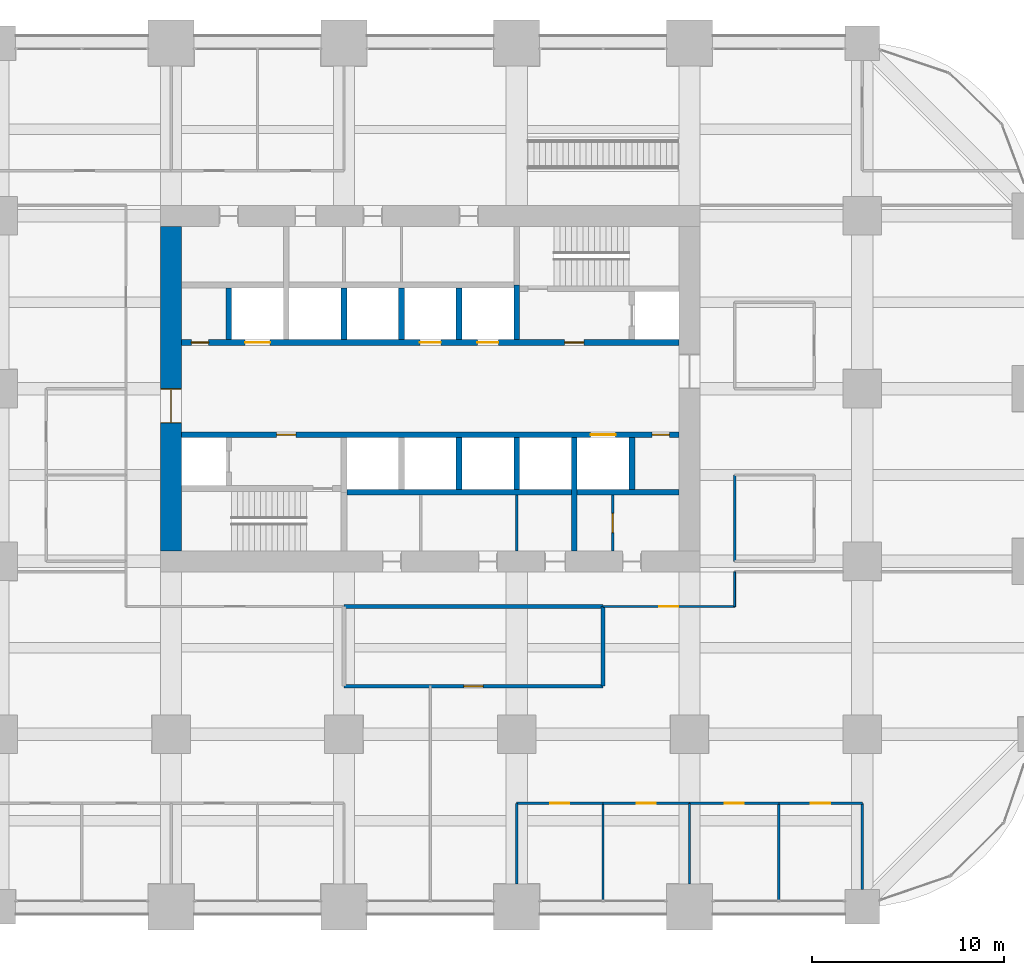
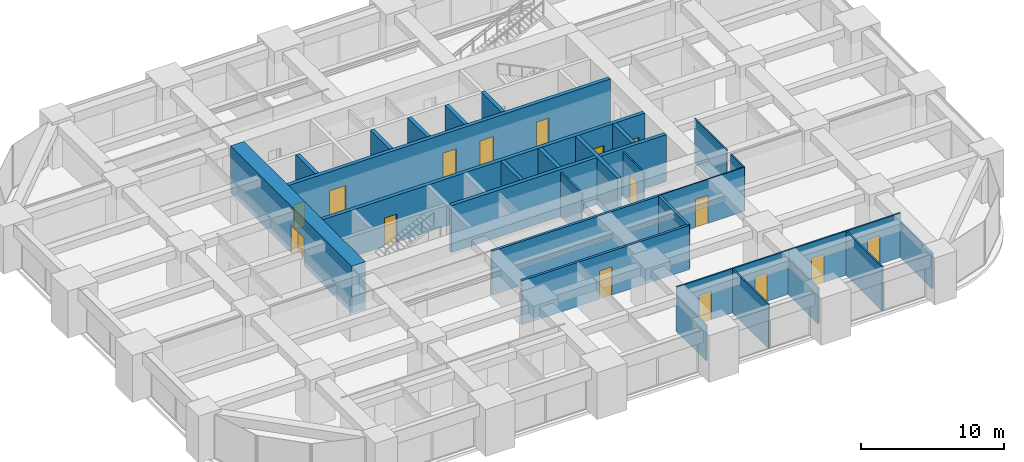
# One storey, part 37 of 41: 30 walls, 16 doors, 16 openings.
"""IFC4 building model written with IfcOpenShell, lengths in metres."""

from ifc_helpers import new_model, si_unit, direction, frame, frame_2d, origin, place, context, subcontext, project, spatial, rectangle, extrude, material, layer, layer_set, type_object, element, fill, save


model = new_model("IFC4")

# Units and contexts
model_context = context("Model", 3, precision=1e-05, world=origin(), true_north=direction((0.0, 1.0)))
body_context = subcontext(model_context, "Body", "Model", "MODEL_VIEW")
ifc_project = project(units=[si_unit("LENGTHUNIT", "METRE"), si_unit("AREAUNIT", "SQUARE_METRE"), si_unit("VOLUMEUNIT", "CUBIC_METRE"), si_unit("PLANEANGLEUNIT", "RADIAN"), si_unit("MASSUNIT", "GRAM", prefix="KILO")], contexts=[model_context])

# Site, building, storey
site_placement = place(None, origin())
site = spatial("IfcSite", under=ifc_project, at=site_placement, CompositionType="ELEMENT")
building_placement = place(site_placement, origin())
building = spatial("IfcBuilding", under=site, at=building_placement, Name="Zorevar Civic Tower", CompositionType="ELEMENT")
storey_placement = place(building_placement, frame((0.0, 0.0, 97.0)))
storey = spatial("IfcBuildingStorey", under=building, at=storey_placement, Name="L23", CompositionType="ELEMENT", Elevation=97.0)

# Wall, opening, door
ifc_material_1 = material(Name="Concrete blockwork", Category="masonry")
ifc_layer_1 = layer(ifc_material_1, 0.199951171875)
ifc_layer_set_1 = layer_set([ifc_layer_1], Name="Blockwork wall 200")
wall_type_1 = type_object("IfcWallType", Name="Blockwork wall 200", PredefinedType="SOLIDWALL", material=ifc_layer_set_1)
wall_1_placement = place(storey_placement, frame((27.0, 11.5, 0.0), z_axis=(0.0, 0.0, 1.0), x_axis=(1.0, 0.0, 0.0)))
wall_1 = element("IfcWall", 1, at=wall_1_placement, inside=storey, type_object=wall_type_1, Name="Blockwork wall 200 L23", PredefinedType="SOLIDWALL", context=body_context, shape_type="SweptSolid", body=[
    extrude(rectangle(XDim=13.5, YDim=0.199951171875, at=frame_2d((6.75, 0.0))), origin(), (0.0, 0.0, 1.0), 3.75),
])
opening_1_placement = place(wall_1_placement, frame((6.25, 0.0, 0.0)))
opening_1 = element("IfcOpeningElement", 2, at=opening_1_placement, cuts=wall_1, Name="Opening L23.25", PredefinedType="OPENING", context=body_context, shape_type="SweptSolid", body=[
    extrude(rectangle(XDim=1.0, YDim=2.39990234375, at=frame_2d((0.5, 1.199951171875))), frame((0.0, 0.10986328125, 0.0), z_axis=(0.0, -1.0, 0.0), x_axis=(1.0, 0.0, 0.0)), (0.0, 0.0, 1.0), 0.219970703125),
])
ifc_material_2 = material(Name="Steel door set", Category="steel")
door_type_1 = type_object("IfcDoorType", Name="Security door SD1 1000x2400", OperationType="SINGLE_SWING_LEFT", PredefinedType="DOOR", material=ifc_material_2)
door_1_placement = place(opening_1_placement, origin())
door_1 = element("IfcDoor", 3, at=door_1_placement, inside=storey, type_object=door_type_1, Name="Door L23 D1", OperationType="SINGLE_SWING_LEFT", OverallHeight=2.39990234375, OverallWidth=1.0, PredefinedType="DOOR", context=body_context, shape_type="SweptSolid", body=[
    extrude(rectangle(XDim=1.0, YDim=2.39990234375, at=frame_2d((0.5, 1.199951171875))), frame((0.0, 0.03515625, 0.0), z_axis=(0.0, -1.0, 0.0), x_axis=(1.0, 0.0, 0.0)), (0.0, 0.0, 1.0), 0.070068359375),
])
fill(opening_1, door_1)

# Walls
wall_2_placement = place(storey_placement, frame((27.0, 15.64990234375, 0.0), z_axis=(0.0, 0.0, 1.0), x_axis=(1.0, 0.0, 0.0)))
element("IfcWall", 4, at=wall_2_placement, inside=storey, type_object=wall_type_1, Name="Blockwork wall 200 L23", PredefinedType="SOLIDWALL", context=body_context, shape_type="SweptSolid", body=[
    extrude(rectangle(XDim=13.5, YDim=0.199951171875, at=frame_2d((6.75, 0.0))), origin(), (0.0, 0.0, 1.0), 3.75),
])
wall_3_placement = place(storey_placement, frame((40.5, 11.5, 0.0), z_axis=(0.0, 0.0, 1.0), x_axis=(0.0, 1.0, 0.0)))
element("IfcWall", 5, at=wall_3_placement, inside=storey, type_object=wall_type_1, Name="Blockwork wall 200 L23", PredefinedType="SOLIDWALL", context=body_context, shape_type="SweptSolid", body=[
    extrude(rectangle(XDim=4.14990234375, YDim=0.199951171875, at=frame_2d((2.074951171875, 0.0))), origin(), (0.0, 0.0, 1.0), 3.75),
])

# Wall, opening, door
ifc_material_3 = material(Name="Concrete C50/60", Category="concrete")
ifc_layer_2 = layer(ifc_material_3, 1.10009765625)
ifc_layer_set_2 = layer_set([ifc_layer_2], Name="Core wall 1100")
wall_type_2 = type_object("IfcWallType", Name="Core wall 1100", PredefinedType="SHEAR", material=ifc_layer_set_2)
wall_4_placement = place(storey_placement, frame((18.0, 35.449951171875, 0.0), z_axis=(0.0, 0.0, 1.0), x_axis=(0.0, -1.0, 0.0)))
wall_4 = element("IfcWall", 6, at=wall_4_placement, inside=storey, type_object=wall_type_2, Name="Core wall W L23", PredefinedType="SHEAR", context=body_context, shape_type="SweptSolid", body=[
    extrude(rectangle(XDim=16.89990234375, YDim=1.10009765625, at=frame_2d((8.449951171875, 0.0))), origin(), (0.0, 0.0, 1.0), 4.0),
])
opening_2_placement = place(wall_4_placement, frame((8.449951171875, 0.0, 0.0)))
opening_2 = element("IfcOpeningElement", 7, at=opening_2_placement, cuts=wall_4, Name="Opening L23.01", PredefinedType="OPENING", context=body_context, shape_type="SweptSolid", body=[
    extrude(rectangle(XDim=1.800048828125, YDim=2.39990234375, at=frame_2d((0.89990234375, 1.199951171875))), frame((0.0, 0.56005859375, 0.0), z_axis=(0.0, -1.0, 0.0), x_axis=(1.0, 0.0, 0.0)), (0.0, 0.0, 1.0), 1.1201171875),
])
ifc_material_4 = material(Name="Steel door set", Category="steel")
door_type_2 = type_object("IfcDoorType", Name="Fire door FD2 1800x2400", OperationType="DOUBLE_DOOR_DOUBLE_SWING", PredefinedType="DOOR", material=ifc_material_4)
door_2_placement = place(opening_2_placement, origin())
door_2 = element("IfcDoor", 8, at=door_2_placement, inside=storey, type_object=door_type_2, Name="Door L23 00", OperationType="DOUBLE_DOOR_DOUBLE_SWING", OverallHeight=2.39990234375, OverallWidth=1.800048828125, PredefinedType="DOOR", context=body_context, shape_type="SweptSolid", body=[
    extrude(rectangle(XDim=1.800048828125, YDim=2.39990234375, at=frame_2d((0.89990234375, 1.199951171875))), frame((0.0, 0.030029296875, 0.0), z_axis=(0.0, -1.0, 0.0), x_axis=(1.0, 0.0, 0.0)), (0.0, 0.0, 1.0), 0.06005859375),
    extrude(rectangle(XDim=0.04, YDim=2.39990234375, at=frame_2d((0.02001953125, 1.199951171875))), frame((0.0, 0.5498046875, 0.0), z_axis=(0.0, -1.0, 0.0), x_axis=(1.0, 0.0, 0.0)), (0.0, 0.0, 1.0), 1.099609375),
    extrude(rectangle(XDim=0.04, YDim=2.39990234375, at=frame_2d((1.780029296875, 1.199951171875))), frame((0.0, 0.5498046875, 0.0), z_axis=(0.0, -1.0, 0.0), x_axis=(1.0, 0.0, 0.0)), (0.0, 0.0, 1.0), 1.099609375),
    extrude(rectangle(XDim=1.800048828125, YDim=0.04, at=frame_2d((0.89990234375, 2.3798828125))), frame((0.0, 0.5498046875, 0.0), z_axis=(0.0, -1.0, 0.0), x_axis=(1.0, 0.0, 0.0)), (0.0, 0.0, 1.0), 1.099609375),
])
fill(opening_2, door_2)

ifc_material_5 = material(Name="Laminated glass in black aluminium frame", Category="aluminium")
ifc_layer_3 = layer(ifc_material_5, 0.10009765625)
ifc_layer_set_3 = layer_set([ifc_layer_3], Name="Glazed partition 100")
wall_type_3 = type_object("IfcWallType", Name="Glazed partition 100", PredefinedType="PARTITIONING", material=ifc_layer_set_3)
wall_5_placement = place(storey_placement, frame((40.5, 15.64990234375, 0.0), z_axis=(0.0, 0.0, 1.0), x_axis=(1.0, 0.0, 0.0)))
wall_5 = element("IfcWall", 9, at=wall_5_placement, inside=storey, type_object=wall_type_3, Name="Glazed partition 100 L23", PredefinedType="PARTITIONING", context=body_context, shape_type="SweptSolid", body=[
    extrude(rectangle(XDim=6.85009765625, YDim=0.10009765625, at=frame_2d((3.425048828125, 0.0))), origin(), (0.0, 0.0, 1.0), 3.75),
])
opening_3_placement = place(wall_5_placement, frame((2.925048828125, 0.0, 0.0)))
opening_3 = element("IfcOpeningElement", 10, at=opening_3_placement, cuts=wall_5, Name="Opening L23.27", PredefinedType="OPENING", context=body_context, shape_type="SweptSolid", body=[
    extrude(rectangle(XDim=1.0, YDim=2.39990234375, at=frame_2d((0.5, 1.199951171875))), frame((0.0, 0.06005859375, 0.0), z_axis=(0.0, -1.0, 0.0), x_axis=(1.0, 0.0, 0.0)), (0.0, 0.0, 1.0), 0.1201171875),
])
ifc_material_6 = material(Name="Timber door set", Category="wood")
door_type_3 = type_object("IfcDoorType", Name="Glazed door GD1 1000x2400", OperationType="SINGLE_SWING_LEFT", PredefinedType="DOOR", material=ifc_material_6)
door_3_placement = place(opening_3_placement, origin())
door_3 = element("IfcDoor", 11, at=door_3_placement, inside=storey, type_object=door_type_3, Name="Door L23 D1", OperationType="SINGLE_SWING_LEFT", OverallHeight=2.39990234375, OverallWidth=1.0, PredefinedType="DOOR", context=body_context, shape_type="SweptSolid", body=[
    extrude(rectangle(XDim=1.0, YDim=2.39990234375, at=frame_2d((0.5, 1.199951171875))), frame((0.0, 0.02001953125, 0.0), z_axis=(0.0, -1.0, 0.0), x_axis=(1.0, 0.0, 0.0)), (0.0, 0.0, 1.0), 0.0400390625),
])
fill(opening_3, door_3)

# Wall
wall_6_placement = place(storey_placement, frame((47.35009765625, 15.64990234375, 0.0), z_axis=(0.0, 0.0, 1.0), x_axis=(0.0, 1.0, 0.0)))
element("IfcWall", 12, at=wall_6_placement, inside=storey, type_object=wall_type_3, Name="Glazed partition 100 L23", PredefinedType="PARTITIONING", context=body_context, shape_type="SweptSolid", body=[
    extrude(rectangle(XDim=1.800048828125, YDim=0.10009765625, at=frame_2d((0.89990234375, 0.0))), origin(), (0.0, 0.0, 1.0), 3.75),
])

# Wall, openings, doors
ifc_material_7 = material(Name="Concrete C40/50", Category="concrete")
ifc_layer_4 = layer(ifc_material_7, 0.300048828125)
ifc_layer_set_4 = layer_set([ifc_layer_4], Name="Inner core wall 300")
wall_type_4 = type_object("IfcWallType", Name="Inner core wall 300", PredefinedType="SHEAR", material=ifc_layer_set_4)
wall_7_placement = place(storey_placement, frame((18.550048828125, 24.60009765625, 0.0), z_axis=(0.0, 0.0, 1.0), x_axis=(1.0, 0.0, 0.0)))
wall_7 = element("IfcWall", 13, at=wall_7_placement, inside=storey, type_object=wall_type_4, Name="Inner core wall S03 L23", PredefinedType="SHEAR", context=body_context, shape_type="SweptSolid", body=[
    extrude(rectangle(XDim=25.89990234375, YDim=0.300048828125, at=frame_2d((12.949951171875, 0.0))), origin(), (0.0, 0.0, 1.0), 4.0),
])
opening_4_placement = place(wall_7_placement, frame((4.949951171875, 0.0, 0.0)))
opening_4 = element("IfcOpeningElement", 14, at=opening_4_placement, cuts=wall_7, Name="Opening L23.13", PredefinedType="OPENING", context=body_context, shape_type="SweptSolid", body=[
    extrude(rectangle(XDim=1.0, YDim=2.39990234375, at=frame_2d((0.5, 1.199951171875))), frame((0.0, 0.159912109375, 0.0), z_axis=(0.0, -1.0, 0.0), x_axis=(1.0, 0.0, 0.0)), (0.0, 0.0, 1.0), 0.320068359375),
])
opening_5_placement = place(wall_7_placement, frame((24.5, 0.0, 0.0)))
opening_5 = element("IfcOpeningElement", 15, at=opening_5_placement, cuts=wall_7, Name="Opening L23.15", PredefinedType="OPENING", context=body_context, shape_type="SweptSolid", body=[
    extrude(rectangle(XDim=0.89990234375, YDim=2.10009765625, at=frame_2d((0.449951171875, 1.050048828125))), frame((0.0, 0.159912109375, 0.0), z_axis=(0.0, -1.0, 0.0), x_axis=(1.0, 0.0, 0.0)), (0.0, 0.0, 1.0), 0.320068359375),
])
opening_6_placement = place(wall_7_placement, frame((21.300048828125, 0.0, 0.0)))
opening_6 = element("IfcOpeningElement", 16, at=opening_6_placement, cuts=wall_7, Name="Opening L23.SL1", PredefinedType="OPENING", context=body_context, shape_type="SweptSolid", body=[
    extrude(rectangle(XDim=1.300048828125, YDim=2.39990234375, at=frame_2d((0.64990234375, 1.199951171875))), frame((0.0, 0.159912109375, 0.0), z_axis=(0.0, -1.0, 0.0), x_axis=(1.0, 0.0, 0.0)), (0.0, 0.0, 1.0), 0.320068359375),
])
ifc_material_8 = material(Name="Steel door set", Category="steel")
door_type_4 = type_object("IfcDoorType", Name="Fire door FD1 1000x2400", OperationType="SINGLE_SWING_LEFT", PredefinedType="DOOR", material=ifc_material_8)
door_4_placement = place(opening_4_placement, origin())
door_4 = element("IfcDoor", 17, at=door_4_placement, inside=storey, type_object=door_type_4, Name="Door L23 12", OperationType="SINGLE_SWING_RIGHT", OverallHeight=2.39990234375, OverallWidth=1.0, PredefinedType="DOOR", context=body_context, shape_type="SweptSolid", body=[
    extrude(rectangle(XDim=1.0, YDim=2.39990234375, at=frame_2d((0.5, 1.199951171875))), frame((0.0, 0.030029296875, 0.0), z_axis=(0.0, -1.0, 0.0), x_axis=(1.0, 0.0, 0.0)), (0.0, 0.0, 1.0), 0.06005859375),
])
fill(opening_4, door_4)
ifc_material_9 = material(Name="Steel door set", Category="steel")
door_type_5 = type_object("IfcDoorType", Name="Landing door LD2 1300x2400", OperationType="DOUBLE_DOOR_SLIDING", PredefinedType="DOOR", material=ifc_material_9)
door_5_placement = place(opening_6_placement, origin())
door_5 = element("IfcDoor", 18, at=door_5_placement, inside=storey, type_object=door_type_5, Name="Landing door SL1 L23", OperationType="DOUBLE_DOOR_SLIDING", OverallHeight=2.39990234375, OverallWidth=1.300048828125, PredefinedType="DOOR", context=body_context, shape_type="SweptSolid", body=[
    extrude(rectangle(XDim=1.300048828125, YDim=2.39990234375, at=frame_2d((0.64990234375, 1.199951171875))), frame((0.0, 0.02001953125, 0.0), z_axis=(0.0, -1.0, 0.0), x_axis=(1.0, 0.0, 0.0)), (0.0, 0.0, 1.0), 0.0400390625),
])
fill(opening_6, door_5)
ifc_material_10 = material(Name="Steel door set", Category="steel")
door_type_6 = type_object("IfcDoorType", Name="Riser door RD1 900x2100", OperationType="SINGLE_SWING_LEFT", PredefinedType="DOOR", material=ifc_material_10)
door_6_placement = place(opening_5_placement, origin())
door_6 = element("IfcDoor", 19, at=door_6_placement, inside=storey, type_object=door_type_6, Name="Door L23 14", OperationType="SINGLE_SWING_RIGHT", OverallHeight=2.10009765625, OverallWidth=0.89990234375, PredefinedType="DOOR", context=body_context, shape_type="SweptSolid", body=[
    extrude(rectangle(XDim=0.89990234375, YDim=2.10009765625, at=frame_2d((0.449951171875, 1.050048828125))), frame((0.0, 0.030029296875, 0.0), z_axis=(0.0, -1.0, 0.0), x_axis=(1.0, 0.0, 0.0)), (0.0, 0.0, 1.0), 0.06005859375),
])
fill(opening_5, door_6)

wall_8_placement = place(storey_placement, frame((18.550048828125, 29.39990234375, 0.0), z_axis=(0.0, 0.0, 1.0), x_axis=(1.0, 0.0, 0.0)))
wall_8 = element("IfcWall", 20, at=wall_8_placement, inside=storey, type_object=wall_type_4, Name="Inner core wall N03 L23", PredefinedType="SHEAR", context=body_context, shape_type="SweptSolid", body=[
    extrude(rectangle(XDim=25.89990234375, YDim=0.300048828125, at=frame_2d((12.949951171875, 0.0))), origin(), (0.0, 0.0, 1.0), 4.0),
])
opening_7_placement = place(wall_8_placement, frame((19.949951171875, 0.0, 0.0)))
opening_7 = element("IfcOpeningElement", 21, at=opening_7_placement, cuts=wall_8, Name="Opening L23.14", PredefinedType="OPENING", context=body_context, shape_type="SweptSolid", body=[
    extrude(rectangle(XDim=1.0, YDim=2.39990234375, at=frame_2d((0.5, 1.199951171875))), frame((0.0, 0.159912109375, 0.0), z_axis=(0.0, -1.0, 0.0), x_axis=(1.0, 0.0, 0.0)), (0.0, 0.0, 1.0), 0.320068359375),
])
opening_8_placement = place(wall_8_placement, frame((0.5, 0.0, 0.0)))
opening_8 = element("IfcOpeningElement", 22, at=opening_8_placement, cuts=wall_8, Name="Opening L23.16", PredefinedType="OPENING", context=body_context, shape_type="SweptSolid", body=[
    extrude(rectangle(XDim=0.89990234375, YDim=2.10009765625, at=frame_2d((0.449951171875, 1.050048828125))), frame((0.0, 0.159912109375, 0.0), z_axis=(0.0, -1.0, 0.0), x_axis=(1.0, 0.0, 0.0)), (0.0, 0.0, 1.0), 0.320068359375),
])
opening_9_placement = place(wall_8_placement, frame((15.39990234375, 0.0, 0.0)))
opening_9 = element("IfcOpeningElement", 23, at=opening_9_placement, cuts=wall_8, Name="Opening L23.LM1", PredefinedType="OPENING", context=body_context, shape_type="SweptSolid", body=[
    extrude(rectangle(XDim=1.10009765625, YDim=2.39990234375, at=frame_2d((0.550048828125, 1.199951171875))), frame((0.0, 0.159912109375, 0.0), z_axis=(0.0, -1.0, 0.0), x_axis=(1.0, 0.0, 0.0)), (0.0, 0.0, 1.0), 0.320068359375),
])
opening_10_placement = place(wall_8_placement, frame((12.39990234375, 0.0, 0.0)))
opening_10 = element("IfcOpeningElement", 24, at=opening_10_placement, cuts=wall_8, Name="Opening L23.LM2", PredefinedType="OPENING", context=body_context, shape_type="SweptSolid", body=[
    extrude(rectangle(XDim=1.10009765625, YDim=2.39990234375, at=frame_2d((0.550048828125, 1.199951171875))), frame((0.0, 0.159912109375, 0.0), z_axis=(0.0, -1.0, 0.0), x_axis=(1.0, 0.0, 0.0)), (0.0, 0.0, 1.0), 0.320068359375),
])
opening_11_placement = place(wall_8_placement, frame((3.300048828125, 0.0, 0.0)))
opening_11 = element("IfcOpeningElement", 25, at=opening_11_placement, cuts=wall_8, Name="Opening L23.SL2", PredefinedType="OPENING", context=body_context, shape_type="SweptSolid", body=[
    extrude(rectangle(XDim=1.300048828125, YDim=2.39990234375, at=frame_2d((0.64990234375, 1.199951171875))), frame((0.0, 0.159912109375, 0.0), z_axis=(0.0, -1.0, 0.0), x_axis=(1.0, 0.0, 0.0)), (0.0, 0.0, 1.0), 0.320068359375),
])
door_7_placement = place(opening_7_placement, origin())
door_7 = element("IfcDoor", 26, at=door_7_placement, inside=storey, type_object=door_type_4, Name="Door L23 13", OperationType="SINGLE_SWING_RIGHT", OverallHeight=2.39990234375, OverallWidth=1.0, PredefinedType="DOOR", context=body_context, shape_type="SweptSolid", body=[
    extrude(rectangle(XDim=1.0, YDim=2.39990234375, at=frame_2d((0.5, 1.199951171875))), frame((0.0, 0.030029296875, 0.0), z_axis=(0.0, -1.0, 0.0), x_axis=(1.0, 0.0, 0.0)), (0.0, 0.0, 1.0), 0.06005859375),
])
fill(opening_7, door_7)
ifc_material_11 = material(Name="Steel door set", Category="steel")
door_type_7 = type_object("IfcDoorType", Name="Landing door LD1 1100x2400", OperationType="DOUBLE_DOOR_SLIDING", PredefinedType="DOOR", material=ifc_material_11)
door_8_placement = place(opening_9_placement, origin())
door_8 = element("IfcDoor", 27, at=door_8_placement, inside=storey, type_object=door_type_7, Name="Landing door LM1 L23", OperationType="DOUBLE_DOOR_SLIDING", OverallHeight=2.39990234375, OverallWidth=1.10009765625, PredefinedType="DOOR", context=body_context, shape_type="SweptSolid", body=[
    extrude(rectangle(XDim=1.10009765625, YDim=2.39990234375, at=frame_2d((0.550048828125, 1.199951171875))), frame((0.0, 0.02001953125, 0.0), z_axis=(0.0, -1.0, 0.0), x_axis=(1.0, 0.0, 0.0)), (0.0, 0.0, 1.0), 0.0400390625),
])
fill(opening_9, door_8)
door_9_placement = place(opening_10_placement, origin())
door_9 = element("IfcDoor", 28, at=door_9_placement, inside=storey, type_object=door_type_7, Name="Landing door LM2 L23", OperationType="DOUBLE_DOOR_SLIDING", OverallHeight=2.39990234375, OverallWidth=1.10009765625, PredefinedType="DOOR", context=body_context, shape_type="SweptSolid", body=[
    extrude(rectangle(XDim=1.10009765625, YDim=2.39990234375, at=frame_2d((0.550048828125, 1.199951171875))), frame((0.0, 0.02001953125, 0.0), z_axis=(0.0, -1.0, 0.0), x_axis=(1.0, 0.0, 0.0)), (0.0, 0.0, 1.0), 0.0400390625),
])
fill(opening_10, door_9)
door_10_placement = place(opening_11_placement, origin())
door_10 = element("IfcDoor", 29, at=door_10_placement, inside=storey, type_object=door_type_5, Name="Landing door SL2 L23", OperationType="DOUBLE_DOOR_SLIDING", OverallHeight=2.39990234375, OverallWidth=1.300048828125, PredefinedType="DOOR", context=body_context, shape_type="SweptSolid", body=[
    extrude(rectangle(XDim=1.300048828125, YDim=2.39990234375, at=frame_2d((0.64990234375, 1.199951171875))), frame((0.0, 0.02001953125, 0.0), z_axis=(0.0, -1.0, 0.0), x_axis=(1.0, 0.0, 0.0)), (0.0, 0.0, 1.0), 0.0400390625),
])
fill(opening_11, door_10)
door_11_placement = place(opening_8_placement, origin())
door_11 = element("IfcDoor", 30, at=door_11_placement, inside=storey, type_object=door_type_6, Name="Door L23 15", OperationType="SINGLE_SWING_RIGHT", OverallHeight=2.10009765625, OverallWidth=0.89990234375, PredefinedType="DOOR", context=body_context, shape_type="SweptSolid", body=[
    extrude(rectangle(XDim=0.89990234375, YDim=2.10009765625, at=frame_2d((0.449951171875, 1.050048828125))), frame((0.0, 0.030029296875, 0.0), z_axis=(0.0, -1.0, 0.0), x_axis=(1.0, 0.0, 0.0)), (0.0, 0.0, 1.0), 0.06005859375),
])
fill(opening_8, door_11)

# Walls
wall_9_placement = place(storey_placement, frame((27.14990234375, 21.60009765625, 0.0), z_axis=(0.0, 0.0, 1.0), x_axis=(1.0, 0.0, 0.0)))
element("IfcWall", 31, at=wall_9_placement, inside=storey, type_object=wall_type_4, Name="Inner core wall S04 L23", PredefinedType="SHEAR", context=body_context, shape_type="SweptSolid", body=[
    extrude(rectangle(XDim=17.300048828125, YDim=0.300048828125, at=frame_2d((8.64990234375, 0.0))), origin(), (0.0, 0.0, 1.0), 4.0),
])
for number, where, z_axis, x_axis, name in (
    (32, (33.0, 29.550048828125, 0.0), (0.0, 0.0, 1.0), (0.0, 1.0, 0.0), "Inner core wall N05 L23"),
    (33, (33.0, 21.75, 0.0), (0.0, 0.0, 1.0), (0.0, 1.0, 0.0), "Inner core wall S06 L23"),
    (34, (30.0, 29.550048828125, 0.0), (0.0, 0.0, 1.0), (0.0, 1.0, 0.0), "Inner core wall N06 L23"),
    (35, (36.0, 21.75, 0.0), (0.0, 0.0, 1.0), (0.0, 1.0, 0.0), "Inner core wall S07 L23"),
    (36, (27.0, 29.550048828125, 0.0), (0.0, 0.0, 1.0), (0.0, 1.0, 0.0), "Inner core wall N07 L23"),
):
    element("IfcWall", number, at=place(storey_placement, frame(where, z_axis=z_axis, x_axis=x_axis)), inside=storey, type_object=wall_type_4, Name=name, PredefinedType="SHEAR", context=body_context, shape_type="SweptSolid", body=[
        extrude(rectangle(XDim=2.699951171875, YDim=0.300048828125, at=frame_2d((1.35009765625, 0.0))), origin(), (0.0, 0.0, 1.0), 4.0),
    ])
wall_10_placement = place(storey_placement, frame((39.0, 18.550048828125, 0.0), z_axis=(0.0, 0.0, 1.0), x_axis=(0.0, 1.0, 0.0)))
element("IfcWall", 37, at=wall_10_placement, inside=storey, type_object=wall_type_4, Name="Inner core wall S08 L23", PredefinedType="SHEAR", context=body_context, shape_type="SweptSolid", body=[
    extrude(rectangle(XDim=5.89990234375, YDim=0.300048828125, at=frame_2d((2.949951171875, 0.0))), origin(), (0.0, 0.0, 1.0), 4.0),
])
for number, where, z_axis, x_axis, name in (
    (38, (42.0, 21.75, 0.0), (0.0, 0.0, 1.0), (0.0, 1.0, 0.0), "Inner core wall S09 L23"),
    (39, (21.0, 29.550048828125, 0.0), (0.0, 0.0, 1.0), (0.0, 1.0, 0.0), "Inner core wall N09 L23"),
):
    element("IfcWall", number, at=place(storey_placement, frame(where, z_axis=z_axis, x_axis=x_axis)), inside=storey, type_object=wall_type_4, Name=name, PredefinedType="SHEAR", context=body_context, shape_type="SweptSolid", body=[
        extrude(rectangle(XDim=2.699951171875, YDim=0.300048828125, at=frame_2d((1.35009765625, 0.0))), origin(), (0.0, 0.0, 1.0), 4.0),
    ])
wall_11_placement = place(storey_placement, frame((36.0, 29.550048828125, 0.0), z_axis=(0.0, 0.0, 1.0), x_axis=(0.0, 1.0, 0.0)))
element("IfcWall", 40, at=wall_11_placement, inside=storey, type_object=wall_type_4, Name="Inner core wall N10 L23", PredefinedType="SHEAR", context=body_context, shape_type="SweptSolid", body=[
    extrude(rectangle(XDim=2.849853515625, YDim=0.300048828125, at=frame_2d((1.4248046875, 0.0))), origin(), (0.0, 0.0, 1.0), 4.0),
])

# Wall, opening, door
ifc_material_12 = material(Name="Gypsum board on steel studs", Category="steel")
ifc_layer_5 = layer(ifc_material_12, 0.1201171875)
ifc_layer_set_5 = layer_set([ifc_layer_5], Name="Partition 120")
wall_type_5 = type_object("IfcWallType", Name="Partition 120", PredefinedType="PARTITIONING", material=ifc_layer_set_5)
wall_12_placement = place(storey_placement, frame((36.0, 5.39990234375, 0.0), z_axis=(0.0, 0.0, 1.0), x_axis=(1.0, 0.0, 0.0)))
wall_12 = element("IfcWall", 41, at=wall_12_placement, inside=storey, type_object=wall_type_5, Name="Partition 120 L23", PredefinedType="PARTITIONING", context=body_context, shape_type="SweptSolid", body=[
    extrude(rectangle(XDim=4.5, YDim=0.1201171875, at=frame_2d((2.25, 0.0))), origin(), (0.0, 0.0, 1.0), 3.75),
])
opening_12_placement = place(wall_12_placement, frame((1.75, 0.0, 0.0)))
opening_12 = element("IfcOpeningElement", 42, at=opening_12_placement, cuts=wall_12, Name="Opening L23.21", PredefinedType="OPENING", context=body_context, shape_type="SweptSolid", body=[
    extrude(rectangle(XDim=1.0, YDim=2.39990234375, at=frame_2d((0.5, 1.199951171875))), frame((0.0, 0.070068359375, 0.0), z_axis=(0.0, -1.0, 0.0), x_axis=(1.0, 0.0, 0.0)), (0.0, 0.0, 1.0), 0.14013671875),
])
ifc_material_13 = material(Name="Timber door set", Category="wood")
door_type_8 = type_object("IfcDoorType", Name="Door D1 1000x2400", OperationType="SINGLE_SWING_LEFT", PredefinedType="DOOR", material=ifc_material_13)
door_12_placement = place(opening_12_placement, origin())
door_12 = element("IfcDoor", 43, at=door_12_placement, inside=storey, type_object=door_type_8, Name="Door L23 D1", OperationType="SINGLE_SWING_RIGHT", OverallHeight=2.39990234375, OverallWidth=1.0, PredefinedType="DOOR", context=body_context, shape_type="SweptSolid", body=[
    extrude(rectangle(XDim=1.0, YDim=2.39990234375, at=frame_2d((0.5, 1.199951171875))), frame((0.0, 0.02490234375, 0.0), z_axis=(0.0, -1.0, 0.0), x_axis=(1.0, 0.0, 0.0)), (0.0, 0.0, 1.0), 0.050048828125),
])
fill(opening_12, door_12)

wall_13_placement = place(storey_placement, frame((40.5, 5.39990234375, 0.0), z_axis=(0.0, 0.0, 1.0), x_axis=(1.0, 0.0, 0.0)))
wall_13 = element("IfcWall", 44, at=wall_13_placement, inside=storey, type_object=wall_type_5, Name="Partition 120 L23", PredefinedType="PARTITIONING", context=body_context, shape_type="SweptSolid", body=[
    extrude(rectangle(XDim=4.5, YDim=0.1201171875, at=frame_2d((2.25, 0.0))), origin(), (0.0, 0.0, 1.0), 3.75),
])
opening_13_placement = place(wall_13_placement, frame((1.75, 0.0, 0.0)))
opening_13 = element("IfcOpeningElement", 45, at=opening_13_placement, cuts=wall_13, Name="Opening L23.22", PredefinedType="OPENING", context=body_context, shape_type="SweptSolid", body=[
    extrude(rectangle(XDim=1.0, YDim=2.39990234375, at=frame_2d((0.5, 1.199951171875))), frame((0.0, 0.070068359375, 0.0), z_axis=(0.0, -1.0, 0.0), x_axis=(1.0, 0.0, 0.0)), (0.0, 0.0, 1.0), 0.14013671875),
])
door_13_placement = place(opening_13_placement, origin())
door_13 = element("IfcDoor", 46, at=door_13_placement, inside=storey, type_object=door_type_8, Name="Door L23 D1", OperationType="SINGLE_SWING_RIGHT", OverallHeight=2.39990234375, OverallWidth=1.0, PredefinedType="DOOR", context=body_context, shape_type="SweptSolid", body=[
    extrude(rectangle(XDim=1.0, YDim=2.39990234375, at=frame_2d((0.5, 1.199951171875))), frame((0.0, 0.02490234375, 0.0), z_axis=(0.0, -1.0, 0.0), x_axis=(1.0, 0.0, 0.0)), (0.0, 0.0, 1.0), 0.050048828125),
])
fill(opening_13, door_13)

wall_14_placement = place(storey_placement, frame((45.0, 5.39990234375, 0.0), z_axis=(0.0, 0.0, 1.0), x_axis=(1.0, 0.0, 0.0)))
wall_14 = element("IfcWall", 47, at=wall_14_placement, inside=storey, type_object=wall_type_5, Name="Partition 120 L23", PredefinedType="PARTITIONING", context=body_context, shape_type="SweptSolid", body=[
    extrude(rectangle(XDim=4.64990234375, YDim=0.1201171875, at=frame_2d((2.324951171875, 0.0))), origin(), (0.0, 0.0, 1.0), 3.75),
])
opening_14_placement = place(wall_14_placement, frame((1.824951171875, 0.0, 0.0)))
opening_14 = element("IfcOpeningElement", 48, at=opening_14_placement, cuts=wall_14, Name="Opening L23.23", PredefinedType="OPENING", context=body_context, shape_type="SweptSolid", body=[
    extrude(rectangle(XDim=1.0, YDim=2.39990234375, at=frame_2d((0.5, 1.199951171875))), frame((0.0, 0.070068359375, 0.0), z_axis=(0.0, -1.0, 0.0), x_axis=(1.0, 0.0, 0.0)), (0.0, 0.0, 1.0), 0.14013671875),
])
door_14_placement = place(opening_14_placement, origin())
door_14 = element("IfcDoor", 49, at=door_14_placement, inside=storey, type_object=door_type_8, Name="Door L23 D1", OperationType="SINGLE_SWING_LEFT", OverallHeight=2.39990234375, OverallWidth=1.0, PredefinedType="DOOR", context=body_context, shape_type="SweptSolid", body=[
    extrude(rectangle(XDim=1.0, YDim=2.39990234375, at=frame_2d((0.5, 1.199951171875))), frame((0.0, 0.02490234375, 0.0), z_axis=(0.0, -1.0, 0.0), x_axis=(1.0, 0.0, 0.0)), (0.0, 0.0, 1.0), 0.050048828125),
])
fill(opening_14, door_14)

wall_15_placement = place(storey_placement, frame((49.64990234375, 5.39990234375, 0.0), z_axis=(0.0, 0.0, 1.0), x_axis=(1.0, 0.0, 0.0)))
wall_15 = element("IfcWall", 50, at=wall_15_placement, inside=storey, type_object=wall_type_5, Name="Partition 120 L23", PredefinedType="PARTITIONING", context=body_context, shape_type="SweptSolid", body=[
    extrude(rectangle(XDim=4.35009765625, YDim=0.1201171875, at=frame_2d((2.175048828125, 0.0))), origin(), (0.0, 0.0, 1.0), 3.75),
])
opening_15_placement = place(wall_15_placement, frame((1.675048828125, 0.0, 0.0)))
opening_15 = element("IfcOpeningElement", 51, at=opening_15_placement, cuts=wall_15, Name="Opening L23.24", PredefinedType="OPENING", context=body_context, shape_type="SweptSolid", body=[
    extrude(rectangle(XDim=1.0, YDim=2.39990234375, at=frame_2d((0.5, 1.199951171875))), frame((0.0, 0.070068359375, 0.0), z_axis=(0.0, -1.0, 0.0), x_axis=(1.0, 0.0, 0.0)), (0.0, 0.0, 1.0), 0.14013671875),
])
door_15_placement = place(opening_15_placement, origin())
door_15 = element("IfcDoor", 52, at=door_15_placement, inside=storey, type_object=door_type_8, Name="Door L23 D1", OperationType="SINGLE_SWING_LEFT", OverallHeight=2.39990234375, OverallWidth=1.0, PredefinedType="DOOR", context=body_context, shape_type="SweptSolid", body=[
    extrude(rectangle(XDim=1.0, YDim=2.39990234375, at=frame_2d((0.5, 1.199951171875))), frame((0.0, 0.02490234375, 0.0), z_axis=(0.0, -1.0, 0.0), x_axis=(1.0, 0.0, 0.0)), (0.0, 0.0, 1.0), 0.050048828125),
])
fill(opening_15, door_15)

# Walls
wall_16_placement = place(storey_placement, frame((36.0, 1.199951171875, 0.0), z_axis=(0.0, 0.0, 1.0), x_axis=(0.0, 1.0, 0.0)))
element("IfcWall", 53, at=wall_16_placement, inside=storey, type_object=wall_type_5, Name="Partition 120 L23", PredefinedType="PARTITIONING", context=body_context, shape_type="SweptSolid", body=[
    extrude(rectangle(XDim=4.199951171875, YDim=0.1201171875, at=frame_2d((2.10009765625, 0.0))), origin(), (0.0, 0.0, 1.0), 3.050048828125),
])
wall_17_placement = place(storey_placement, frame((40.5, 0.31005859375, 0.0), z_axis=(0.0, 0.0, 1.0), x_axis=(0.0, 1.0, 0.0)))
element("IfcWall", 54, at=wall_17_placement, inside=storey, type_object=wall_type_5, Name="Partition 120 L23", PredefinedType="PARTITIONING", context=body_context, shape_type="SweptSolid", body=[
    extrude(rectangle(XDim=5.08984375, YDim=0.1201171875, at=frame_2d((2.544921875, 0.0))), origin(), (0.0, 0.0, 1.0), 3.75),
])
wall_18_placement = place(storey_placement, frame((45.0, 1.199951171875, 0.0), z_axis=(0.0, 0.0, 1.0), x_axis=(0.0, 1.0, 0.0)))
element("IfcWall", 55, at=wall_18_placement, inside=storey, type_object=wall_type_5, Name="Partition 120 L23", PredefinedType="PARTITIONING", context=body_context, shape_type="SweptSolid", body=[
    extrude(rectangle(XDim=4.199951171875, YDim=0.1201171875, at=frame_2d((2.10009765625, 0.0))), origin(), (0.0, 0.0, 1.0), 3.050048828125),
])
wall_19_placement = place(storey_placement, frame((47.35009765625, 18.0, 0.0), z_axis=(0.0, 0.0, 1.0), x_axis=(0.0, 1.0, 0.0)))
element("IfcWall", 56, at=wall_19_placement, inside=storey, type_object=wall_type_5, Name="Partition 120 L23", PredefinedType="PARTITIONING", context=body_context, shape_type="SweptSolid", body=[
    extrude(rectangle(XDim=4.5, YDim=0.1201171875, at=frame_2d((2.25, 0.0))), origin(), (0.0, 0.0, 1.0), 3.75),
])
wall_20_placement = place(storey_placement, frame((49.64990234375, 0.31005859375, 0.0), z_axis=(0.0, 0.0, 1.0), x_axis=(0.0, 1.0, 0.0)))
element("IfcWall", 57, at=wall_20_placement, inside=storey, type_object=wall_type_5, Name="Partition 120 L23", PredefinedType="PARTITIONING", context=body_context, shape_type="SweptSolid", body=[
    extrude(rectangle(XDim=5.08984375, YDim=0.1201171875, at=frame_2d((2.544921875, 0.0))), origin(), (0.0, 0.0, 1.0), 3.75),
])
wall_21_placement = place(storey_placement, frame((54.0, 0.89990234375, 0.0), z_axis=(0.0, 0.0, 1.0), x_axis=(0.0, 1.0, 0.0)))
element("IfcWall", 58, at=wall_21_placement, inside=storey, type_object=wall_type_5, Name="Partition 120 L23", PredefinedType="PARTITIONING", context=body_context, shape_type="SweptSolid", body=[
    extrude(rectangle(XDim=4.5, YDim=0.1201171875, at=frame_2d((2.25, 0.0))), origin(), (0.0, 0.0, 1.0), 3.050048828125),
])

# Wall, opening, door
wall_22_placement = place(storey_placement, frame((41.0, 18.550048828125, 0.0), z_axis=(0.0, 0.0, 1.0), x_axis=(0.0, 1.0, 0.0)))
wall_22 = element("IfcWall", 59, at=wall_22_placement, inside=storey, type_object=wall_type_5, Name="Partition L23", PredefinedType="PARTITIONING", context=body_context, shape_type="SweptSolid", body=[
    extrude(rectangle(XDim=2.89990234375, YDim=0.1201171875, at=frame_2d((1.449951171875, 0.0))), origin(), (0.0, 0.0, 1.0), 3.75),
])
opening_16_placement = place(wall_22_placement, frame((0.949951171875, 0.0, 0.0)))
opening_16 = element("IfcOpeningElement", 60, at=opening_16_placement, cuts=wall_22, Name="Opening L23.37", PredefinedType="OPENING", context=body_context, shape_type="SweptSolid", body=[
    extrude(rectangle(XDim=1.0, YDim=2.39990234375, at=frame_2d((0.5, 1.199951171875))), frame((0.0, 0.070068359375, 0.0), z_axis=(0.0, -1.0, 0.0), x_axis=(1.0, 0.0, 0.0)), (0.0, 0.0, 1.0), 0.14013671875),
])
door_16_placement = place(opening_16_placement, origin())
door_16 = element("IfcDoor", 61, at=door_16_placement, inside=storey, type_object=door_type_4, Name="Door L23 ES", OperationType="SINGLE_SWING_RIGHT", OverallHeight=2.39990234375, OverallWidth=1.0, PredefinedType="DOOR", context=body_context, shape_type="SweptSolid", body=[
    extrude(rectangle(XDim=1.0, YDim=2.39990234375, at=frame_2d((0.5, 1.199951171875))), frame((0.0, 0.030029296875, 0.0), z_axis=(0.0, -1.0, 0.0), x_axis=(1.0, 0.0, 0.0)), (0.0, 0.0, 1.0), 0.06005859375),
])
fill(opening_16, door_16)

# Wall
ifc_material_14 = material(Name="Gypsum board on steel studs, moisture resistant", Category="steel")
ifc_layer_6 = layer(ifc_material_14, 0.14990234375)
ifc_layer_set_6 = layer_set([ifc_layer_6], Name="WC partition 150")
wall_type_6 = type_object("IfcWallType", Name="WC partition 150", PredefinedType="PARTITIONING", material=ifc_layer_set_6)
wall_23_placement = place(storey_placement, frame((36.0, 18.550048828125, 0.0), z_axis=(0.0, 0.0, 1.0), x_axis=(0.0, 1.0, 0.0)))
element("IfcWall", 62, at=wall_23_placement, inside=storey, type_object=wall_type_6, Name="WC partition L23", PredefinedType="PARTITIONING", context=body_context, shape_type="SweptSolid", body=[
    extrude(rectangle(XDim=2.89990234375, YDim=0.14990234375, at=frame_2d((1.449951171875, 0.0))), origin(), (0.0, 0.0, 1.0), 3.75),
])

save(model, "model.ifc")
